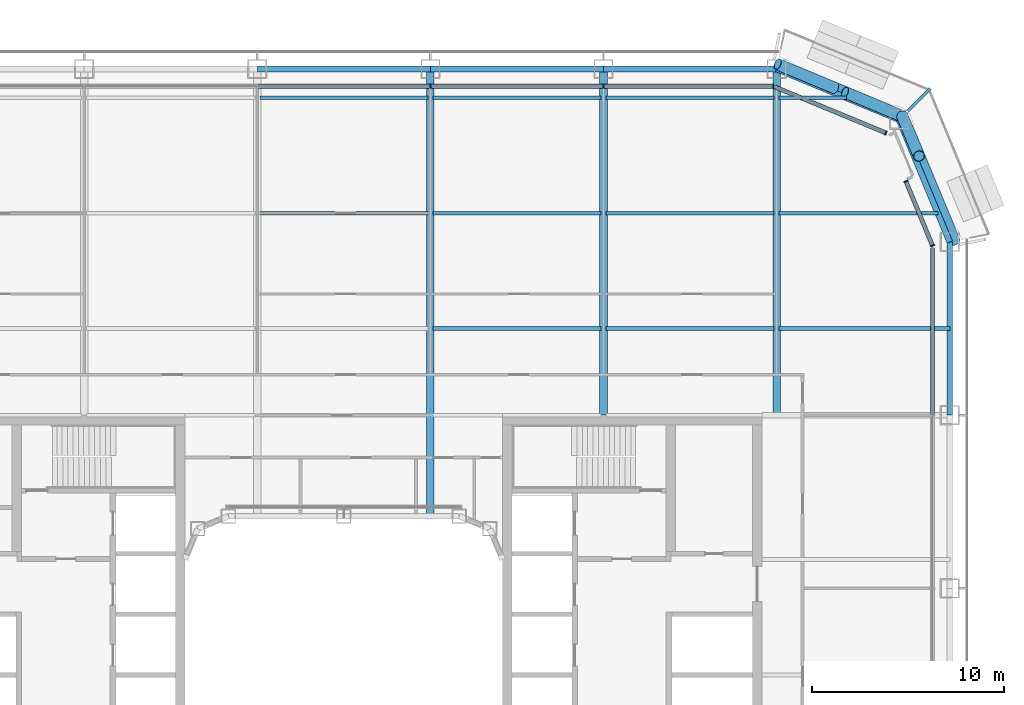
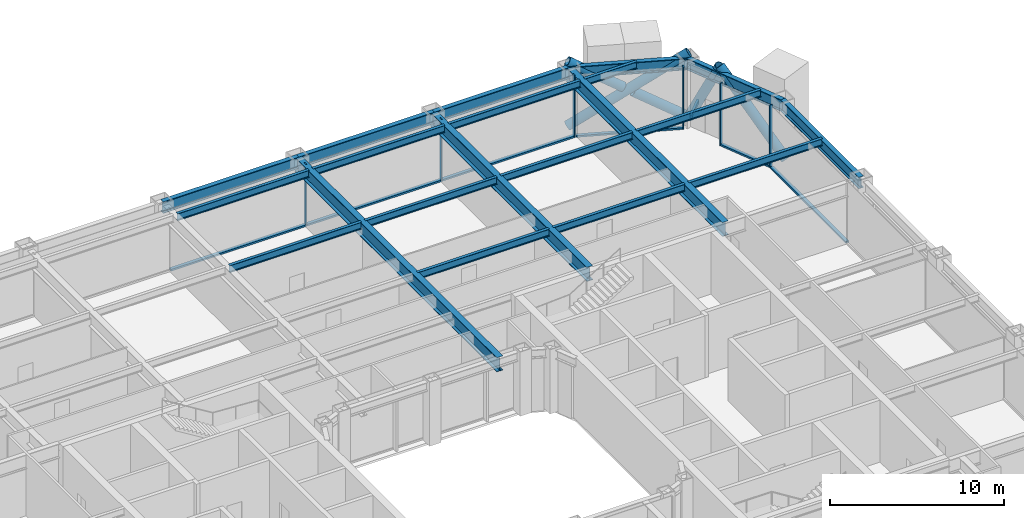
# One storey, part 10 of 30: 21 beams, 17 members, 4 elements without a shape of their own.
"""IFC4 building model written with IfcOpenShell, lengths in metres."""

from ifc_helpers import new_model, si_unit, direction, frame, origin, origin_2d, place, context, subcontext, project, spatial, rectangle, hollow_rectangle, hollow_circle, i_section, extrude, material, layer, layer_set, material_profile, profile_set, type_object, element, aggregate, save


model = new_model("IFC4")

# Units and contexts
model_context = context("Model", 3, precision=1e-05, world=origin(), true_north=direction((0.0, 1.0)))
body_context = subcontext(model_context, "Body", "Model", "MODEL_VIEW")
ifc_project = project(units=[si_unit("LENGTHUNIT", "METRE"), si_unit("AREAUNIT", "SQUARE_METRE"), si_unit("VOLUMEUNIT", "CUBIC_METRE"), si_unit("PLANEANGLEUNIT", "RADIAN"), si_unit("MASSUNIT", "GRAM", prefix="KILO")], contexts=[model_context])

# Site, building, storey
site_placement = place(None, origin())
site = spatial("IfcSite", under=ifc_project, at=site_placement, CompositionType="ELEMENT")
building_placement = place(site_placement, origin())
building = spatial("IfcBuilding", under=site, at=building_placement, Name="Siwar Civic Tower", CompositionType="ELEMENT")
storey_placement = place(building_placement, frame((0.0, 0.0, 62.699951171875)))
storey = spatial("IfcBuildingStorey", under=building, at=storey_placement, Name="L13", CompositionType="ELEMENT", Elevation=62.699951171875)

# Beam
ifc_material_1 = material(Name="Steel S355", Category="steel")
ifc_material_profile_1 = material_profile(ifc_material_1, hollow_rectangle(XDim=0.14990234375, YDim=0.25, WallThickness=0.010009765625, at=origin_2d()), Name="RHS250x150x10")
ifc_profile_set_1 = profile_set([ifc_material_profile_1], Name="Steel S355")
beam_type_1 = type_object("IfcBeamType", Name="ENV-BALCONY ARM", PredefinedType="BEAM", material=ifc_profile_set_1)
beam_1_placement = place(storey_placement, frame((29.32861328125, 29.32861328125, -0.27490234375), z_axis=(0.707106781187, 0.707106781187, 0.0), x_axis=(-0.707106781187, 0.707106781187, 0.0)))
element("IfcBeam", 1, at=beam_1_placement, inside=storey, type_object=beam_type_1, Name="Balcony cantilever beam NE 2", PredefinedType="BEAM", context=body_context, shape_type="SweptSolid", body=[
    extrude(hollow_rectangle(XDim=0.14990234375, YDim=0.25, WallThickness=0.010009765625, at=origin_2d()), origin(), (0.0, 0.0, 1.0), 1.615966796875),
])

# Curtain wall, members
ifc_material_2 = material(Name="Aluminium clad insulated panel", Category="aluminium")
ifc_layer_1 = layer(ifc_material_2, 0.219970703125)
ifc_layer_set_1 = layer_set([ifc_layer_1], Name="Aluminium clad insulated panel")
curtain_wall_type_1 = type_object("IfcCurtainWallType", Name="ENV-CW-AX", PredefinedType="NOTDEFINED", material=ifc_layer_set_1)
curtain_wall_1_placement = place(storey_placement, origin())
curtain_wall_1 = element("IfcCurtainWall", 2, at=curtain_wall_1_placement, inside=storey, type_object=curtain_wall_type_1, Name="Curtain wall A NE1", PredefinedType="NOTDEFINED")
ifc_material_3 = material(Name="Aluminium 6063-T6", Category="aluminium")
ifc_material_profile_2 = material_profile(ifc_material_3, rectangle(XDim=0.219970703125, YDim=0.070068359375, at=origin_2d()), Name="AL 220x70")
ifc_profile_set_2 = profile_set([ifc_material_profile_2], Name="Aluminium 6063-T6")
member_type_1 = type_object("IfcMemberType", Name="ENV-MULLION-A", PredefinedType="MULLION", material=ifc_profile_set_2)
member_1_placement = place(storey_placement, frame((30.60009765625, 22.321044921875, 0.0), z_axis=(0.0, 0.0, 1.0), x_axis=(-0.923879532511, -0.382683432365, 0.0)))
member_1 = element("IfcMember", 3, at=member_1_placement, type_object=member_type_1, Name="Mullion A NE1 1", PredefinedType="MULLION", context=body_context, shape_type="SweptSolid", body=[
    extrude(rectangle(XDim=0.219970703125, YDim=0.070068359375, at=origin_2d()), origin(), (0.0, 0.0, 1.0), 4.35009765625),
])
member_2_placement = place(storey_placement, frame((29.219482421875, 25.653564453125, 0.0), z_axis=(0.0, 0.0, 1.0), x_axis=(-0.923879532511, -0.382683432365, 0.0)))
member_2 = element("IfcMember", 4, at=member_2_placement, type_object=member_type_1, Name="Mullion A NE1 2", PredefinedType="MULLION", context=body_context, shape_type="SweptSolid", body=[
    extrude(rectangle(XDim=0.219970703125, YDim=0.070068359375, at=origin_2d()), origin(), (0.0, 0.0, 1.0), 4.35009765625),
])

# Curtain wall, member
curtain_wall_2_placement = place(storey_placement, origin())
curtain_wall_2 = element("IfcCurtainWall", 5, at=curtain_wall_2_placement, inside=storey, type_object=curtain_wall_type_1, Name="Curtain wall A NE2", PredefinedType="NOTDEFINED")
member_3_placement = place(storey_placement, frame((28.175048828125, 28.175048828125, 0.0), z_axis=(0.0, 0.0, 1.0), x_axis=(-0.382683432365, -0.923879532511, 0.0)))
member_3 = element("IfcMember", 6, at=member_3_placement, type_object=member_type_1, Name="Mullion A NE2 1", PredefinedType="MULLION", context=body_context, shape_type="SweptSolid", body=[
    extrude(rectangle(XDim=0.219970703125, YDim=0.070068359375, at=origin_2d()), origin(), (0.0, 0.0, 1.0), 4.35009765625),
])

# Curtain wall, members
ifc_material_4 = material(Name="Aluminium and glass", Category="aluminium")
ifc_layer_2 = layer(ifc_material_4, 0.219970703125)
ifc_layer_set_2 = layer_set([ifc_layer_2], Name="Aluminium and glass")
curtain_wall_type_2 = type_object("IfcCurtainWallType", Name="ENV-CW-A", PredefinedType="NOTDEFINED", material=ifc_layer_set_2)
curtain_wall_3_placement = place(storey_placement, origin())
curtain_wall_3 = element("IfcCurtainWall", 7, at=curtain_wall_3_placement, inside=storey, type_object=curtain_wall_type_2, Name="Curtain wall A N", PredefinedType="NOTDEFINED")
member_4_placement = place(storey_placement, frame((22.321044921875, 30.60009765625, 0.0), z_axis=(0.0, 0.0, 1.0), x_axis=(0.0, -1.0, 0.0)))
member_4 = element("IfcMember", 8, at=member_4_placement, type_object=member_type_1, Name="Mullion A N 1", PredefinedType="MULLION", context=body_context, shape_type="SweptSolid", body=[
    extrude(rectangle(XDim=0.219970703125, YDim=0.070068359375, at=origin_2d()), origin(), (0.0, 0.0, 1.0), 4.35009765625),
])
member_5_placement = place(storey_placement, frame((13.5, 30.60009765625, 0.0), z_axis=(0.0, 0.0, 1.0), x_axis=(0.0, -1.0, 0.0)))
member_5 = element("IfcMember", 9, at=member_5_placement, type_object=member_type_1, Name="Mullion A N 2", PredefinedType="MULLION", context=body_context, shape_type="SweptSolid", body=[
    extrude(rectangle(XDim=0.219970703125, YDim=0.070068359375, at=origin_2d()), origin(), (0.0, 0.0, 1.0), 4.35009765625),
])
member_6_placement = place(storey_placement, frame((4.5, 30.60009765625, 0.0), z_axis=(0.0, 0.0, 1.0), x_axis=(0.0, -1.0, 0.0)))
member_6 = element("IfcMember", 10, at=member_6_placement, type_object=member_type_1, Name="Mullion A N 3", PredefinedType="MULLION", context=body_context, shape_type="SweptSolid", body=[
    extrude(rectangle(XDim=0.219970703125, YDim=0.070068359375, at=origin_2d()), origin(), (0.0, 0.0, 1.0), 4.35009765625),
])

# Curtain wall, member
curtain_wall_4_placement = place(storey_placement, origin())
curtain_wall_4 = element("IfcCurtainWall", 11, at=curtain_wall_4_placement, inside=storey, type_object=curtain_wall_type_2, Name="Curtain wall A E", PredefinedType="NOTDEFINED")
ifc_material_5 = material(Name="Aluminium 6063-T6", Category="aluminium")
ifc_material_profile_3 = material_profile(ifc_material_5, rectangle(XDim=0.219970703125, YDim=0.1201171875, at=origin_2d()), Name="AL 220x120")
ifc_profile_set_3 = profile_set([ifc_material_profile_3], Name="Aluminium 6063-T6")
member_type_2 = type_object("IfcMemberType", Name="ENV-TRANSOM-A", PredefinedType="USERDEFINED", material=ifc_profile_set_3)
member_7_placement = place(storey_placement, frame((30.60009765625, 13.534912109375, 0.06005859375), z_axis=(0.0, 1.0, 0.0), x_axis=(-1.0, 0.0, 0.0)))
member_7 = element("IfcMember", 12, at=member_7_placement, type_object=member_type_2, Name="Transom A E 5", ObjectType="TRANSOM", PredefinedType="USERDEFINED", context=body_context, shape_type="SweptSolid", body=[
    extrude(rectangle(XDim=0.219970703125, YDim=0.1201171875, at=origin_2d()), origin(), (0.0, 0.0, 1.0), 8.66357421875),
])
aggregate(curtain_wall_4, [member_7])

# Member
member_8_placement = place(storey_placement, frame((30.586669921875, 22.353271484375, 0.06005859375), z_axis=(-0.38270330002, 0.923871302809, 0.0), x_axis=(-0.923871302809, -0.38270330002, 0.0)))
member_8 = element("IfcMember", 13, at=member_8_placement, type_object=member_type_2, Name="Transom A NE1 1", ObjectType="TRANSOM", PredefinedType="USERDEFINED", context=body_context, shape_type="SweptSolid", body=[
    extrude(rectangle(XDim=0.219970703125, YDim=0.1201171875, at=origin_2d()), origin(), (0.0, 0.0, 1.0), 3.537353515625),
])

aggregate(curtain_wall_1, [member_1, member_2, member_8])

member_9_placement = place(storey_placement, frame((28.142822265625, 28.1884765625, 0.06005859375), z_axis=(-0.923873326341, 0.382698415042, 0.0), x_axis=(-0.382698415042, -0.923873326341, 0.0)))
member_9 = element("IfcMember", 14, at=member_9_placement, type_object=member_type_2, Name="Transom A NE2 1", ObjectType="TRANSOM", PredefinedType="USERDEFINED", context=body_context, shape_type="SweptSolid", body=[
    extrude(rectangle(XDim=0.219970703125, YDim=0.1201171875, at=origin_2d()), origin(), (0.0, 0.0, 1.0), 6.17919921875),
])

aggregate(curtain_wall_2, [member_3, member_9])

member_10_placement = place(storey_placement, frame((22.285888671875, 30.60009765625, 0.06005859375), z_axis=(-1.0, 0.0, 0.0), x_axis=(0.0, -1.0, 0.0)))
member_10 = element("IfcMember", 15, at=member_10_placement, type_object=member_type_2, Name="Transom A N 1", ObjectType="TRANSOM", PredefinedType="USERDEFINED", context=body_context, shape_type="SweptSolid", body=[
    extrude(rectangle(XDim=0.219970703125, YDim=0.1201171875, at=origin_2d()), origin(), (0.0, 0.0, 1.0), 8.7509765625),
])

member_11_placement = place(storey_placement, frame((13.465087890625, 30.60009765625, 0.06005859375), z_axis=(-1.0, 0.0, 0.0), x_axis=(0.0, -1.0, 0.0)))
member_11 = element("IfcMember", 16, at=member_11_placement, type_object=member_type_2, Name="Transom A N 2", ObjectType="TRANSOM", PredefinedType="USERDEFINED", context=body_context, shape_type="SweptSolid", body=[
    extrude(rectangle(XDim=0.219970703125, YDim=0.1201171875, at=origin_2d()), origin(), (0.0, 0.0, 1.0), 8.93017578125),
])

member_12_placement = place(storey_placement, frame((4.465087890625, 30.60009765625, 0.06005859375), z_axis=(-1.0, 0.0, 0.0), x_axis=(0.0, -1.0, 0.0)))
member_12 = element("IfcMember", 17, at=member_12_placement, type_object=member_type_2, Name="Transom A N 3", ObjectType="TRANSOM", PredefinedType="USERDEFINED", context=body_context, shape_type="SweptSolid", body=[
    extrude(rectangle(XDim=0.219970703125, YDim=0.1201171875, at=origin_2d()), origin(), (0.0, 0.0, 1.0), 8.93017578125),
])

aggregate(curtain_wall_3, [member_4, member_5, member_6, member_10, member_11, member_12])

# Members
ifc_material_6 = material(Name="Steel S355", Category="steel")
ifc_material_profile_4 = material_profile(ifc_material_6, hollow_circle(Radius=0.304931640625, WallThickness=0.030029296875, at=origin_2d()), Name="CHS610x30")
ifc_profile_set_4 = profile_set([ifc_material_profile_4], Name="Steel S355")
member_type_3 = type_object("IfcMemberType", Name="STR-BR-CHS610x30", PredefinedType="BRACE", material=ifc_profile_set_4)
member_13_placement = place(storey_placement, frame((22.548828125, 31.7451171875, 0.0), z_axis=(0.777554562952, -0.323905527954, 0.538975055633), x_axis=(0.384538969033, 0.923108759191, 0.0)))
element("IfcMember", 18, at=member_13_placement, inside=storey, type_object=member_type_3, Name="L13/brc/ANE1-12-0-1", PredefinedType="BRACE", context=body_context, shape_type="SweptSolid", body=[
    extrude(hollow_circle(Radius=0.304931640625, WallThickness=0.030029296875, at=origin_2d()), origin(), (0.0, 0.0, 1.0), 8.34912109375),
])
member_14_placement = place(storey_placement, frame((29.040771484375, 29.040771484375, 0.0), z_axis=(-0.777542179573, 0.323922979564, 0.53898243227), x_axis=(-0.384561842466, -0.923099230484, 0.0)))
element("IfcMember", 19, at=member_14_placement, inside=storey, type_object=member_type_3, Name="L13/brc/ANE1-12-0-2", PredefinedType="BRACE", context=body_context, shape_type="SweptSolid", body=[
    extrude(hollow_circle(Radius=0.304931640625, WallThickness=0.030029296875, at=origin_2d()), origin(), (0.0, 0.0, 1.0), 3.84375),
])
member_15_placement = place(storey_placement, frame((25.537353515625, 30.500244140625, 2.428466796875), z_axis=(-0.777559680196, 0.3238932121, 0.53897507446), x_axis=(-0.384524353215, -0.923114847559, 0.0)))
element("IfcMember", 20, at=member_15_placement, inside=storey, type_object=member_type_3, Name="L13/brc/ANE1-12-0-3", PredefinedType="BRACE", context=body_context, shape_type="SweptSolid", body=[
    extrude(hollow_circle(Radius=0.304931640625, WallThickness=0.030029296875, at=origin_2d()), origin(), (0.0, 0.0, 1.0), 3.843505859375),
])
member_16_placement = place(storey_placement, frame((31.7451171875, 22.548828125, 0.0), z_axis=(-0.280310719993, 0.672864582402, 0.684601456328), x_axis=(-0.923101041979, -0.384557494138, 0.0)))
element("IfcMember", 21, at=member_16_placement, inside=storey, type_object=member_type_3, Name="L13/brc/ANE1-12-0-0", PredefinedType="BRACE", context=body_context, shape_type="SweptSolid", body=[
    extrude(hollow_circle(Radius=0.304931640625, WallThickness=0.030029296875, at=origin_2d()), origin(), (0.0, 0.0, 1.0), 6.5732421875),
])
member_17_placement = place(storey_placement, frame((29.040771484375, 29.040771484375, 0.0), z_axis=(0.171426870802, -0.411570178484, 0.895110504993), x_axis=(0.923125254544, 0.384499368559, 0.0)))
element("IfcMember", 22, at=member_17_placement, inside=storey, type_object=member_type_3, Name="L13/brc/ANE1-12-0-6", PredefinedType="BRACE", context=body_context, shape_type="SweptSolid", body=[
    extrude(hollow_circle(Radius=0.304931640625, WallThickness=0.030029296875, at=origin_2d()), origin(), (0.0, 0.0, 1.0), 5.02734375),
])

# Beams
ifc_material_7 = material(Name="Steel S355", Category="steel")
ifc_material_profile_5 = material_profile(ifc_material_7, i_section(OverallWidth=0.199951171875, OverallDepth=0.5, WebThickness=0.01025390625, FlangeThickness=0.01611328125, FilletRadius=0.02099609375, at=origin_2d()), Name="IPE500")
ifc_profile_set_5 = profile_set([ifc_material_profile_5], Name="Steel S355")
beam_type_2 = type_object("IfcBeamType", Name="STR-FB-IPE500", PredefinedType="JOIST", material=ifc_profile_set_5)
for number, where, z_axis, x_axis, name in (
    (23, (4.6298828125, 18.0, 4.10009765625), (1.0, 0.0, 0.0), (0.0, 1.0, 0.0), "L13/bm/F050"),
    (24, (13.6298828125, 18.0, 4.10009765625), (1.0, 0.0, 0.0), (0.0, 1.0, 0.0), "L13/bm/F051"),
):
    element("IfcBeam", number, at=place(storey_placement, frame(where, z_axis=z_axis, x_axis=x_axis)), inside=storey, type_object=beam_type_2, Name=name, PredefinedType="JOIST", context=body_context, shape_type="SweptSolid", body=[
        extrude(i_section(OverallWidth=0.199951171875, OverallDepth=0.5, WebThickness=0.01025390625, FlangeThickness=0.01611328125, FilletRadius=0.02099609375, at=origin_2d()), origin(), (0.0, 0.0, 1.0), 8.740234375),
    ])
beam_2_placement = place(storey_placement, frame((22.6298828125, 18.0, 4.10009765625), z_axis=(1.0, 0.0, 0.0), x_axis=(0.0, 1.0, 0.0)))
element("IfcBeam", 25, at=beam_2_placement, inside=storey, type_object=beam_type_2, Name="L13/bm/F052", PredefinedType="JOIST", context=body_context, shape_type="SweptSolid", body=[
    extrude(i_section(OverallWidth=0.199951171875, OverallDepth=0.5, WebThickness=0.01025390625, FlangeThickness=0.01611328125, FilletRadius=0.02099609375, at=origin_2d()), origin(), (0.0, 0.0, 1.0), 8.8701171875),
])
for number, where, z_axis, x_axis, name in (
    (26, (-4.3701171875, 24.0, 4.10009765625), (1.0, 0.0, 0.0), (0.0, 1.0, 0.0), "L13/bm/F056"),
    (27, (4.6298828125, 24.0, 4.10009765625), (1.0, 0.0, 0.0), (0.0, 1.0, 0.0), "L13/bm/F057"),
    (28, (13.6298828125, 24.0, 4.10009765625), (1.0, 0.0, 0.0), (0.0, 1.0, 0.0), "L13/bm/F058"),
):
    element("IfcBeam", number, at=place(storey_placement, frame(where, z_axis=z_axis, x_axis=x_axis)), inside=storey, type_object=beam_type_2, Name=name, PredefinedType="JOIST", context=body_context, shape_type="SweptSolid", body=[
        extrude(i_section(OverallWidth=0.199951171875, OverallDepth=0.5, WebThickness=0.01025390625, FlangeThickness=0.01611328125, FilletRadius=0.02099609375, at=origin_2d()), origin(), (0.0, 0.0, 1.0), 8.740234375),
    ])
beam_3_placement = place(storey_placement, frame((22.6298828125, 24.0, 4.10009765625), z_axis=(1.0, 0.0, 0.0), x_axis=(0.0, 1.0, 0.0)))
element("IfcBeam", 29, at=beam_3_placement, inside=storey, type_object=beam_type_2, Name="L13/bm/F059", PredefinedType="JOIST", context=body_context, shape_type="SweptSolid", body=[
    extrude(i_section(OverallWidth=0.199951171875, OverallDepth=0.5, WebThickness=0.01025390625, FlangeThickness=0.01611328125, FilletRadius=0.02099609375, at=origin_2d()), origin(), (0.0, 0.0, 1.0), 8.248779296875),
])
for number, where, z_axis, x_axis, name in (
    (30, (-4.3701171875, 30.0, 4.10009765625), (1.0, 0.0, 0.0), (0.0, 1.0, 0.0), "L13/bm/F063"),
    (31, (4.6298828125, 30.0, 4.10009765625), (1.0, 0.0, 0.0), (0.0, 1.0, 0.0), "L13/bm/F064"),
    (32, (13.6298828125, 30.0, 4.10009765625), (1.0, 0.0, 0.0), (0.0, 1.0, 0.0), "L13/bm/F065"),
):
    element("IfcBeam", number, at=place(storey_placement, frame(where, z_axis=z_axis, x_axis=x_axis)), inside=storey, type_object=beam_type_2, Name=name, PredefinedType="JOIST", context=body_context, shape_type="SweptSolid", body=[
        extrude(i_section(OverallWidth=0.199951171875, OverallDepth=0.5, WebThickness=0.01025390625, FlangeThickness=0.01611328125, FilletRadius=0.02099609375, at=origin_2d()), origin(), (0.0, 0.0, 1.0), 8.740234375),
    ])
beam_4_placement = place(storey_placement, frame((22.6298828125, 30.0, 4.10009765625), z_axis=(1.0, 0.0, 0.0), x_axis=(0.0, 1.0, 0.0)))
element("IfcBeam", 33, at=beam_4_placement, inside=storey, type_object=beam_type_2, Name="L13/bm/F066", PredefinedType="JOIST", context=body_context, shape_type="SweptSolid", body=[
    extrude(i_section(OverallWidth=0.199951171875, OverallDepth=0.5, WebThickness=0.01025390625, FlangeThickness=0.01611328125, FilletRadius=0.02099609375, at=origin_2d()), origin(), (0.0, 0.0, 1.0), 3.491455078125),
])
ifc_material_8 = material(Name="Steel S355", Category="steel")
ifc_material_profile_6 = material_profile(ifc_material_8, i_section(OverallWidth=0.39990234375, OverallDepth=1.0, WebThickness=0.01611328125, FlangeThickness=0.0400390625, at=origin_2d()), Name="PG1000x400x16x40")
ifc_profile_set_6 = profile_set([ifc_material_profile_6], Name="Steel S355")
beam_type_3 = type_object("IfcBeamType", Name="STR-PG-PG1000x400x16x40", PredefinedType="BEAM", material=ifc_profile_set_6)
beam_5_placement = place(storey_placement, frame((4.5, 8.25, 3.85009765625), z_axis=(0.0, 1.0, 0.0), x_axis=(-1.0, 0.0, 0.0)))
element("IfcBeam", 34, at=beam_5_placement, inside=storey, type_object=beam_type_3, Name="L13/bm/G08", PredefinedType="BEAM", context=body_context, shape_type="SweptSolid", body=[
    extrude(i_section(OverallWidth=0.39990234375, OverallDepth=1.0, WebThickness=0.01611328125, FlangeThickness=0.0400390625, at=origin_2d()), origin(), (0.0, 0.0, 1.0), 23.25),
])
for number, where, z_axis, x_axis, name in (
    (35, (13.5, 13.5, 3.85009765625), (0.0, 1.0, 0.0), (-1.0, 0.0, 0.0), "L13/bm/G10"),
    (36, (22.5, 13.5, 3.85009765625), (0.0, 1.0, 0.0), (-1.0, 0.0, 0.0), "L13/bm/G12"),
):
    element("IfcBeam", number, at=place(storey_placement, frame(where, z_axis=z_axis, x_axis=x_axis)), inside=storey, type_object=beam_type_3, Name=name, PredefinedType="BEAM", context=body_context, shape_type="SweptSolid", body=[
        extrude(i_section(OverallWidth=0.39990234375, OverallDepth=1.0, WebThickness=0.01611328125, FlangeThickness=0.0400390625, at=origin_2d()), origin(), (0.0, 0.0, 1.0), 18.0),
    ])
ifc_material_9 = material(Name="Steel S355", Category="steel")
ifc_material_profile_7 = material_profile(ifc_material_9, i_section(OverallWidth=0.302978515625, OverallDepth=0.81396484375, WebThickness=0.02099609375, FlangeThickness=0.0400390625, FilletRadius=0.030029296875, at=origin_2d()), Name="HEM800")
ifc_profile_set_7 = profile_set([ifc_material_profile_7], Name="Steel S355")
beam_type_4 = type_object("IfcBeamType", Name="STR-SB-HEM800", PredefinedType="BEAM", material=ifc_profile_set_7)
beam_6_placement = place(storey_placement, frame((31.5, 13.5, 3.943115234375), z_axis=(0.0, 1.0, 0.0), x_axis=(-1.0, 0.0, 0.0)))
element("IfcBeam", 37, at=beam_6_placement, inside=storey, type_object=beam_type_4, Name="L13/bm/SE-4", PredefinedType="BEAM", context=body_context, shape_type="SweptSolid", body=[
    extrude(i_section(OverallWidth=0.302978515625, OverallDepth=0.81396484375, WebThickness=0.02099609375, FlangeThickness=0.0400390625, FilletRadius=0.030029296875, at=origin_2d()), origin(), (0.0, 0.0, 1.0), 9.0),
])
for number, where, z_axis, x_axis, name in (
    (38, (31.5, 22.5, 3.943115234375), (-0.382674207535, 0.923883353507, 0.0), (-0.923883353507, -0.382674207535, 0.0), "L13/bm/SNE1-0"),
    (39, (28.864013671875, 28.864013671875, 3.943115234375), (-0.923883353507, 0.382674207535, 0.0), (-0.382674207535, -0.923883353507, 0.0), "L13/bm/SNE2-0"),
):
    element("IfcBeam", number, at=place(storey_placement, frame(where, z_axis=z_axis, x_axis=x_axis)), inside=storey, type_object=beam_type_4, Name=name, PredefinedType="BEAM", context=body_context, shape_type="SweptSolid", body=[
        extrude(i_section(OverallWidth=0.302978515625, OverallDepth=0.81396484375, WebThickness=0.02099609375, FlangeThickness=0.0400390625, FilletRadius=0.030029296875, at=origin_2d()), origin(), (0.0, 0.0, 1.0), 6.888427734375),
    ])
for number, where, z_axis, x_axis, name in (
    (40, (22.5, 31.5, 3.943115234375), (-1.0, 0.0, 0.0), (0.0, -1.0, 0.0), "L13/bm/SN-0"),
    (41, (13.5, 31.5, 3.943115234375), (-1.0, 0.0, 0.0), (0.0, -1.0, 0.0), "L13/bm/SN-1"),
    (42, (4.5, 31.5, 3.943115234375), (-1.0, 0.0, 0.0), (0.0, -1.0, 0.0), "L13/bm/SN-2"),
):
    element("IfcBeam", number, at=place(storey_placement, frame(where, z_axis=z_axis, x_axis=x_axis)), inside=storey, type_object=beam_type_4, Name=name, PredefinedType="BEAM", context=body_context, shape_type="SweptSolid", body=[
        extrude(i_section(OverallWidth=0.302978515625, OverallDepth=0.81396484375, WebThickness=0.02099609375, FlangeThickness=0.0400390625, FilletRadius=0.030029296875, at=origin_2d()), origin(), (0.0, 0.0, 1.0), 9.0),
    ])

save(model, "model.ifc")
